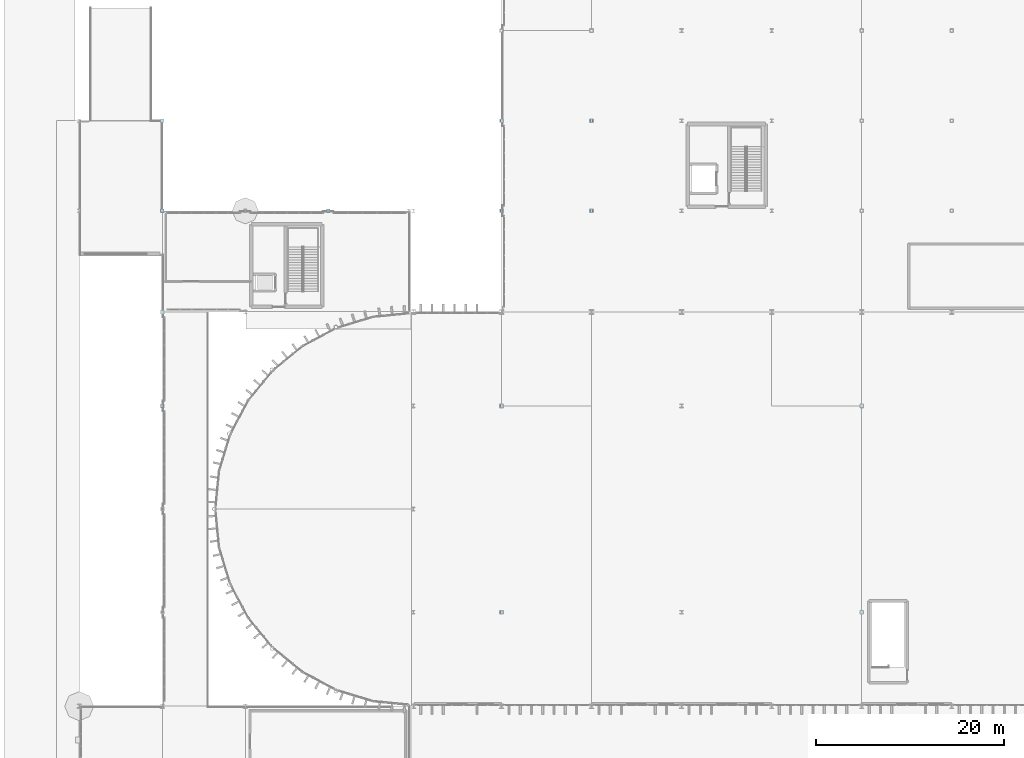
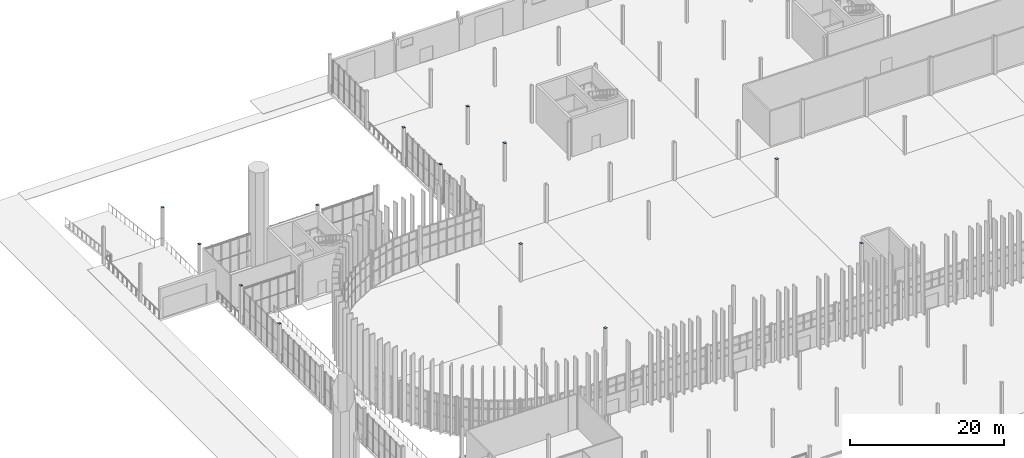
# One storey, part 95 of 139: 13 plates.
"""IFC4 building model written with IfcOpenShell, lengths in metres."""

from ifc_helpers import new_model, si_unit, direction, frame, origin, origin_2d, place, context, subcontext, project, spatial, rectangle, extrude, material, layer, layer_set, type_object, element, save


model = new_model("IFC4")

# Units and contexts
model_context = context("Model", 3, precision=1e-05, world=origin(), true_north=direction((0.0, 1.0)))
body_context = subcontext(model_context, "Body", "Model", "MODEL_VIEW")
ifc_project = project(units=[si_unit("LENGTHUNIT", "METRE"), si_unit("AREAUNIT", "SQUARE_METRE"), si_unit("VOLUMEUNIT", "CUBIC_METRE"), si_unit("PLANEANGLEUNIT", "RADIAN"), si_unit("MASSUNIT", "GRAM", prefix="KILO")], contexts=[model_context])

# Site, building, storey
site_placement = place(None, origin())
site = spatial("IfcSite", under=ifc_project, at=site_placement, CompositionType="ELEMENT")
building_placement = place(site_placement, origin())
building = spatial("IfcBuilding", under=site, at=building_placement, Name="Yeouljin Market Hall", CompositionType="ELEMENT")
storey_placement = place(building_placement, origin())
storey = spatial("IfcBuildingStorey", under=building, at=storey_placement, Name="L00", CompositionType="ELEMENT", Elevation=0.0)

# Plates
ifc_material = material(Name="Steel SM355", Category="steel")
ifc_layer = layer(ifc_material, 0.01611328125)
ifc_layer_set = layer_set([ifc_layer], Name="Steel SM355")
plate_type = type_object("IfcPlateType", Name="CapPlate_360x360x16", PredefinedType="SHEET", material=ifc_layer_set)
for number, where, z_axis, x_axis, name in (
    (1, (8.85009765625, 68.0, 6.0), (0.0, 0.0, 1.0), (1.0, 0.0, 0.0), "Hollow column top cap plate G-01-07 (L00)"),
    (2, (8.85009765625, 78.0, 6.0), (0.0, 0.0, 1.0), (1.0, 0.0, 0.0), "Hollow column top cap plate G-01-08 (L00)"),
    (3, (8.85009765625, 88.800048828125, 6.0), (0.0, 0.0, 1.0), (1.0, 0.0, 0.0), "Hollow column top cap plate G-01-09 (L00)"),
    (4, (8.85009765625, 98.39990234375, 6.0), (0.0, 0.0, 1.0), (1.0, 0.0, 0.0), "Hollow column top cap plate G-01-10 (L00)"),
    (5, (26.550048828125, 88.800048828125, 6.0), (0.0, 0.0, 1.0), (1.0, 0.0, 0.0), "Hollow column top cap plate G-03-09 (L00)"),
    (6, (45.0, 46.0, 6.0), (0.0, 0.0, 1.0), (1.0, 0.0, 0.0), "Hollow column top cap plate G-06-05 (L00)"),
    (7, (45.0, 68.0, 6.0), (0.0, 0.0, 1.0), (1.0, 0.0, 0.0), "Hollow column top cap plate G-06-07 (L00)"),
    (8, (45.0, 88.800048828125, 6.0), (0.0, 0.0, 1.0), (1.0, 0.0, 0.0), "Hollow column top cap plate G-06-09 (L00)"),
    (9, (45.0, 98.39990234375, 6.0), (0.0, 0.0, 1.0), (1.0, 0.0, 0.0), "Hollow column top cap plate G-06-10 (L00)"),
    (10, (54.60009765625, 88.800048828125, 6.0), (0.0, 0.0, 1.0), (1.0, 0.0, 0.0), "Hollow column top cap plate G-07-09 (L00)"),
    (11, (54.60009765625, 98.39990234375, 6.0), (0.0, 0.0, 1.0), (1.0, 0.0, 0.0), "Hollow column top cap plate G-07-10 (L00)"),
    (12, (83.39990234375, 46.0, 6.0), (0.0, 0.0, 1.0), (1.0, 0.0, 0.0), "Hollow column top cap plate G-10-05 (L00)"),
    (13, (83.39990234375, 68.0, 6.0), (0.0, 0.0, 1.0), (1.0, 0.0, 0.0), "Hollow column top cap plate G-10-07 (L00)"),
):
    element("IfcPlate", number, at=place(storey_placement, frame(where, z_axis=z_axis, x_axis=x_axis)), inside=storey, type_object=plate_type, Name=name, PredefinedType="SHEET", context=body_context, shape_type="SweptSolid", body=[
        extrude(rectangle(XDim=0.360107421875, YDim=0.360107421875, at=origin_2d()), origin(), (0.0, 0.0, 1.0), 0.01611328125),
    ])

save(model, "model.ifc")
